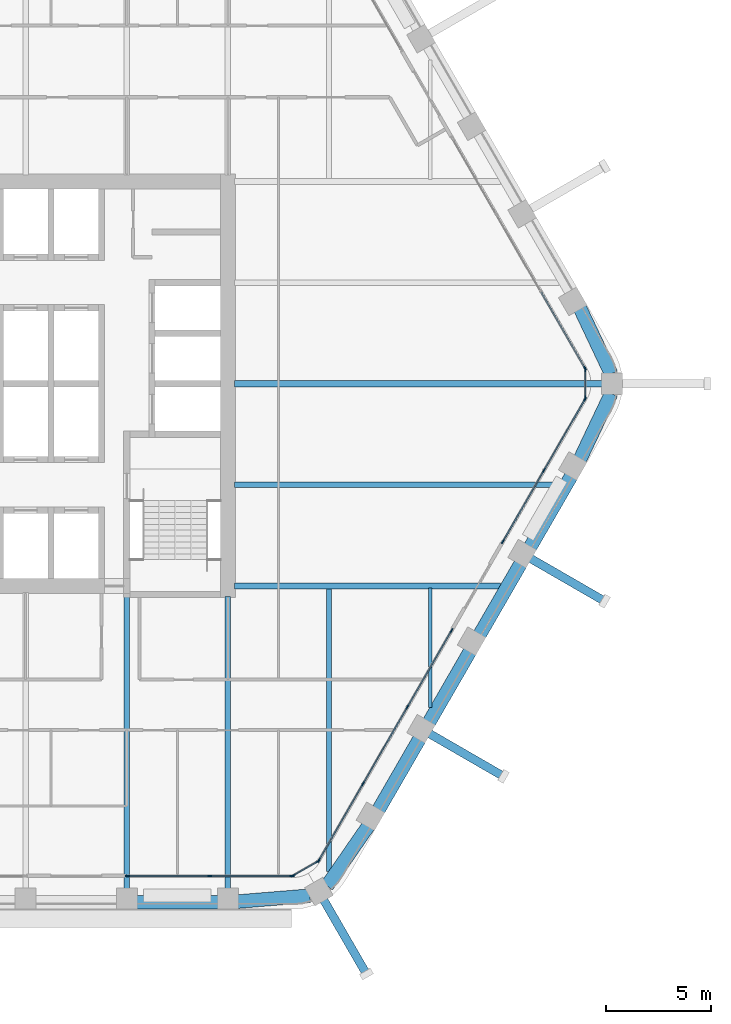
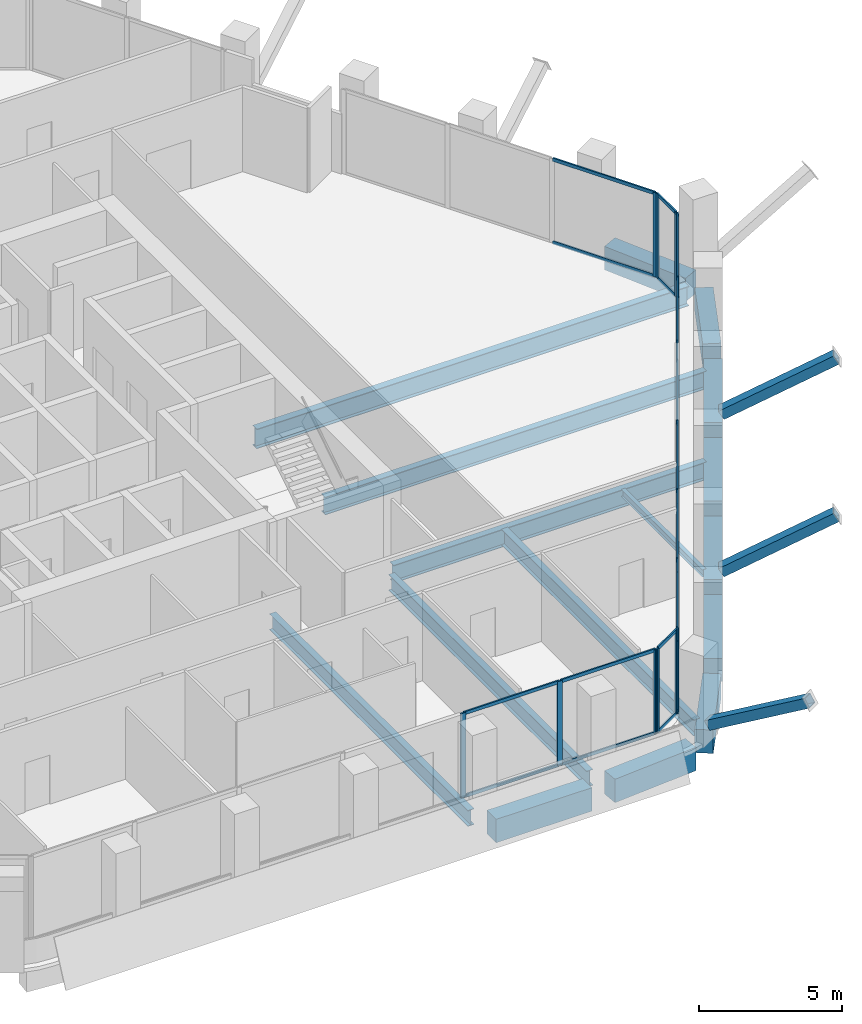
# One storey, part 4 of 16: 38 members, 16 beams, 6 elements without a shape of their own.
"""IFC4 building model written with IfcOpenShell, lengths in metres."""

from ifc_helpers import new_model, si_unit, direction, frame, origin, origin_2d, place, context, subcontext, project, spatial, rectangle, hollow_rectangle, i_section, extrude, material, material_profile, profile_set, type_object, element, aggregate, save


model = new_model("IFC4")

# Units and contexts
model_context = context("Model", 3, precision=1e-05, world=origin(), true_north=direction((0.0, 1.0)))
body_context = subcontext(model_context, "Body", "Model", "MODEL_VIEW")
ifc_project = project(units=[si_unit("LENGTHUNIT", "METRE"), si_unit("AREAUNIT", "SQUARE_METRE"), si_unit("VOLUMEUNIT", "CUBIC_METRE"), si_unit("PLANEANGLEUNIT", "RADIAN"), si_unit("MASSUNIT", "GRAM", prefix="KILO")], contexts=[model_context])

# Site, building, storey
site_placement = place(None, origin())
site = spatial("IfcSite", under=ifc_project, at=site_placement, CompositionType="ELEMENT")
building_placement = place(site_placement, origin())
building = spatial("IfcBuilding", under=site, at=building_placement, Name="Kolab Exchange Tower", CompositionType="ELEMENT")
storey_placement = place(building_placement, frame((0.0, 0.0, 177.800048828125)))
storey = spatial("IfcBuildingStorey", under=building, at=storey_placement, Name="L37", CompositionType="ELEMENT", Elevation=177.800048828125)

# Beams
ifc_material_1 = material(Name="Steel S355", Category="steel")
ifc_material_profile_1 = material_profile(ifc_material_1, i_section(OverallWidth=0.1650390625, OverallDepth=0.31005859375, WebThickness=0.005859375, FlangeThickness=0.009765625, at=origin_2d()), Name="W310X39")
ifc_profile_set_1 = profile_set([ifc_material_profile_1], Name="Steel S355")
beam_type_1 = type_object("IfcBeamType", Name="FLOOR BEAM W310X39", PredefinedType="BEAM", material=ifc_profile_set_1)
beam_1_placement = place(storey_placement, frame((19.199951171875, -15.36767578125, -0.304931640625), z_axis=(0.0, 1.0, 0.0), x_axis=(-1.0, 0.0, 0.0)))
element("IfcBeam", 1, at=beam_1_placement, inside=storey, type_object=beam_type_1, Name="beam/L37/fr/022", PredefinedType="BEAM", context=body_context, shape_type="SweptSolid", body=[
    extrude(i_section(OverallWidth=0.1650390625, OverallDepth=0.31005859375, WebThickness=0.005859375, FlangeThickness=0.009765625, at=origin_2d()), origin(), (0.0, 0.0, 1.0), 5.674072265625),
])
ifc_material_profile_2 = material_profile(ifc_material_1, i_section(OverallWidth=0.25390625, OverallDepth=0.68408203125, WebThickness=0.012451171875, FlangeThickness=0.018798828125, at=origin_2d()), Name="W690X140")
ifc_profile_set_2 = profile_set([ifc_material_profile_2], Name="Steel S355")
beam_type_2 = type_object("IfcBeamType", Name="FLOOR BEAM W690X140", PredefinedType="BEAM", material=ifc_profile_set_2)
for number, where, z_axis, x_axis, name in (
    (2, (4.800048828125, -23.9814453125, -0.491943359375), (0.0, 1.0, 0.0), (-1.0, 0.0, 0.0), "beam/L37/fr/013"),
    (3, (9.60009765625, -23.9814453125, -0.491943359375), (0.0, 1.0, 0.0), (-1.0, 0.0, 0.0), "beam/L37/fr/015"),
):
    element("IfcBeam", number, at=place(storey_placement, frame(where, z_axis=z_axis, x_axis=x_axis)), inside=storey, type_object=beam_type_2, Name=name, PredefinedType="BEAM", context=body_context, shape_type="SweptSolid", body=[
        extrude(i_section(OverallWidth=0.25390625, OverallDepth=0.68408203125, WebThickness=0.012451171875, FlangeThickness=0.018798828125, at=origin_2d()), origin(), (0.0, 0.0, 1.0), 13.871337890625),
    ])
beam_2_placement = place(storey_placement, frame((14.39990234375, -23.15576171875, -0.491943359375), z_axis=(0.0, 1.0, 0.0), x_axis=(-1.0, 0.0, 0.0)))
element("IfcBeam", 4, at=beam_2_placement, inside=storey, type_object=beam_type_2, Name="beam/L37/fr/020", PredefinedType="BEAM", context=body_context, shape_type="SweptSolid", body=[
    extrude(i_section(OverallWidth=0.25390625, OverallDepth=0.68408203125, WebThickness=0.012451171875, FlangeThickness=0.018798828125, at=origin_2d()), origin(), (0.0, 0.0, 1.0), 13.462158203125),
])
ifc_material_profile_3 = material_profile(ifc_material_1, i_section(OverallWidth=0.26708984375, OverallDepth=0.761962890625, WebThickness=0.014404296875, FlangeThickness=0.021484375, at=origin_2d()), Name="W760X173")
ifc_profile_set_3 = profile_set([ifc_material_profile_3], Name="Steel S355")
beam_type_3 = type_object("IfcBeamType", Name="FLOOR BEAM W760X173", PredefinedType="BEAM", material=ifc_profile_set_3)
beam_3_placement = place(storey_placement, frame((9.909912109375, -4.800048828125, -0.531005859375), z_axis=(1.0, 0.0, 0.0), x_axis=(0.0, 1.0, 0.0)))
element("IfcBeam", 5, at=beam_3_placement, inside=storey, type_object=beam_type_3, Name="beam/L37/fr/017", PredefinedType="BEAM", context=body_context, shape_type="SweptSolid", body=[
    extrude(i_section(OverallWidth=0.26708984375, OverallDepth=0.761962890625, WebThickness=0.014404296875, FlangeThickness=0.021484375, at=origin_2d()), origin(), (0.0, 0.0, 1.0), 15.408203125),
])
ifc_material_profile_4 = material_profile(ifc_material_1, i_section(OverallWidth=0.2919921875, OverallDepth=0.840087890625, WebThickness=0.0146484375, FlangeThickness=0.021728515625, at=origin_2d()), Name="W840X193")
ifc_profile_set_4 = profile_set([ifc_material_profile_4], Name="Steel S355")
beam_type_4 = type_object("IfcBeamType", Name="FLOOR BEAM W840X193", PredefinedType="BEAM", material=ifc_profile_set_4)
beam_4_placement = place(storey_placement, frame((9.909912109375, 0.0, -0.570068359375), z_axis=(1.0, 0.0, 0.0), x_axis=(0.0, 1.0, 0.0)))
element("IfcBeam", 6, at=beam_4_placement, inside=storey, type_object=beam_type_4, Name="beam/L37/fr/018", PredefinedType="BEAM", context=body_context, shape_type="SweptSolid", body=[
    extrude(i_section(OverallWidth=0.2919921875, OverallDepth=0.840087890625, WebThickness=0.0146484375, FlangeThickness=0.021728515625, at=origin_2d()), origin(), (0.0, 0.0, 1.0), 17.466064453125),
])
ifc_material_profile_5 = material_profile(ifc_material_1, i_section(OverallWidth=0.26708984375, OverallDepth=0.761962890625, WebThickness=0.014404296875, FlangeThickness=0.021484375, at=origin_2d()), Name="W760X173")
ifc_profile_set_5 = profile_set([ifc_material_profile_5], Name="Steel S355")
beam_type_5 = type_object("IfcBeamType", Name="FLOOR GIRDER W760X173", PredefinedType="BEAM", material=ifc_profile_set_5)
beam_5_placement = place(storey_placement, frame((9.909912109375, -9.60009765625, -0.531005859375), z_axis=(1.0, 0.0, 0.0), x_axis=(0.0, 1.0, 0.0)))
element("IfcBeam", 7, at=beam_5_placement, inside=storey, type_object=beam_type_5, Name="beam/L37/gd/002", PredefinedType="BEAM", context=body_context, shape_type="SweptSolid", body=[
    extrude(i_section(OverallWidth=0.26708984375, OverallDepth=0.761962890625, WebThickness=0.014404296875, FlangeThickness=0.021484375, at=origin_2d()), origin(), (0.0, 0.0, 1.0), 12.636962890625),
])

# Members
ifc_material_profile_6 = material_profile(ifc_material_1, hollow_rectangle(XDim=0.39990234375, YDim=0.39990234375, WallThickness=0.02001953125, at=origin_2d()), Name="HSS400X400X20")
ifc_profile_set_6 = profile_set([ifc_material_profile_6], Name="Steel S355")
member_type_1 = type_object("IfcMemberType", Name="LEDGE STRUT HSS400X400X20", PredefinedType="STRUT", material=ifc_profile_set_6)
for number, where, z_axis, x_axis, name in (
    (8, (23.96533203125, -8.293701171875, 0.599853515625), (0.74712949304, -0.431355064226, 0.505697863547), (0.499999695987, 0.866025579307, 0.0), "mem/L37/ledge/strut-4"),
    (9, (19.165283203125, -16.607666015625, 0.599853515625), (0.74712949304, -0.431355064226, 0.505697863547), (0.499999695987, 0.866025579307, 0.0), "mem/L37/ledge/strut-5"),
    (10, (14.14794921875, -24.5048828125, 0.599853515625), (0.431355064226, -0.74712949304, 0.505697863547), (0.866025579307, 0.499999695987, 0.0), "mem/L37/ledge/strut-6"),
):
    element("IfcMember", number, at=place(storey_placement, frame(where, z_axis=z_axis, x_axis=x_axis)), inside=storey, type_object=member_type_1, Name=name, PredefinedType="STRUT", context=body_context, shape_type="SweptSolid", body=[
        extrude(hollow_rectangle(XDim=0.39990234375, YDim=0.39990234375, WallThickness=0.02001953125, at=origin_2d()), origin(), (0.0, 0.0, 1.0), 4.682861328125),
    ])

# Beams
ifc_material_2 = material(Name="Concrete C60/75", Category="concrete")
ifc_material_profile_7 = material_profile(ifc_material_2, rectangle(XDim=0.64990234375, YDim=1.0, at=origin_2d()), Name="RC650X1000")
ifc_profile_set_7 = profile_set([ifc_material_profile_7], Name="Concrete C60/75")
beam_type_6 = type_object("IfcBeamType", Name="SPANDREL BEAM 650X1000 C60/75", PredefinedType="BEAM", material=ifc_profile_set_7)
for number, where, z_axis, x_axis, name in (
    (11, (26.316162109375, 3.5771484375, -0.650146484375), (0.428177731975, -0.903694544545, 0.0), (0.903694544545, 0.428177731975, 0.0), "beam/L37/sp/F2-06"),
    (12, (27.791259765625, -0.4638671875, -0.650146484375), (-0.428177731975, -0.903694544545, 0.0), (0.903694544545, -0.428177731975, 0.0), "beam/L37/sp/F3-01"),
):
    element("IfcBeam", number, at=place(storey_placement, frame(where, z_axis=z_axis, x_axis=x_axis)), inside=storey, type_object=beam_type_6, Name=name, PredefinedType="BEAM", context=body_context, shape_type="SweptSolid", body=[
        extrude(rectangle(XDim=0.64990234375, YDim=1.0, at=origin_2d()), origin(), (0.0, 0.0, 1.0), 3.445068359375),
    ])
for number, where, z_axis, x_axis, name in (
    (13, (25.888427734375, -4.392822265625, -0.650146484375), (-0.499996613652, -0.866027358884, 0.0), (0.866027358884, -0.499996613652, 0.0), "beam/L37/sp/F3-02"),
    (14, (23.488525390625, -8.5498046875, -0.650146484375), (-0.499996613652, -0.866027358884, 0.0), (0.866027358884, -0.499996613652, 0.0), "beam/L37/sp/F3-03"),
):
    element("IfcBeam", number, at=place(storey_placement, frame(where, z_axis=z_axis, x_axis=x_axis)), inside=storey, type_object=beam_type_6, Name=name, PredefinedType="BEAM", context=body_context, shape_type="SweptSolid", body=[
        extrude(rectangle(XDim=0.64990234375, YDim=1.0, at=origin_2d()), origin(), (0.0, 0.0, 1.0), 3.8798828125),
    ])
beam_6_placement = place(storey_placement, frame((21.088623046875, -12.70654296875, -0.650146484375), z_axis=(-0.50001655835, -0.866015843605, 0.0), x_axis=(0.866015843605, -0.50001655835, 0.0)))
element("IfcBeam", 15, at=beam_6_placement, inside=storey, type_object=beam_type_6, Name="beam/L37/sp/F3-04", PredefinedType="BEAM", context=body_context, shape_type="SweptSolid", body=[
    extrude(rectangle(XDim=0.64990234375, YDim=1.0, at=origin_2d()), origin(), (0.0, 0.0, 1.0), 3.880126953125),
])
beam_7_placement = place(storey_placement, frame((18.6884765625, -16.863525390625, -0.650146484375), z_axis=(-0.499996613652, -0.866027358884, 0.0), x_axis=(0.866027358884, -0.499996613652, 0.0)))
element("IfcBeam", 16, at=beam_7_placement, inside=storey, type_object=beam_type_6, Name="beam/L37/sp/F3-05", PredefinedType="BEAM", context=body_context, shape_type="SweptSolid", body=[
    extrude(rectangle(XDim=0.64990234375, YDim=1.0, at=origin_2d()), origin(), (0.0, 0.0, 1.0), 3.8798828125),
])
for number, where, z_axis, x_axis, name in (
    (17, (16.256103515625, -21.001953125, -0.650146484375), (-0.568572281073, -0.822633309073, 0.0), (0.822633309073, -0.568572281073, 0.0), "beam/L37/sp/F3-06"),
    (18, (13.493896484375, -24.2998046875, -0.650146484375), (-0.996708497182, -0.081068931445, 0.0), (0.081068931445, -0.996708497182, 0.0), "beam/L37/sp/F4-01"),
):
    element("IfcBeam", number, at=place(storey_placement, frame(where, z_axis=z_axis, x_axis=x_axis)), inside=storey, type_object=beam_type_6, Name=name, PredefinedType="BEAM", context=body_context, shape_type="SweptSolid", body=[
        extrude(rectangle(XDim=0.64990234375, YDim=1.0, at=origin_2d()), origin(), (0.0, 0.0, 1.0), 3.445068359375),
    ])
beam_8_placement = place(storey_placement, frame((9.139892578125, -24.616455078125, -0.650146484375), z_axis=(-1.0, 0.0, 0.0), x_axis=(0.0, -1.0, 0.0)))
element("IfcBeam", 19, at=beam_8_placement, inside=storey, type_object=beam_type_6, Name="beam/L37/sp/F4-02", PredefinedType="BEAM", context=body_context, shape_type="SweptSolid", body=[
    extrude(rectangle(XDim=0.64990234375, YDim=1.0, at=origin_2d()), origin(), (0.0, 0.0, 1.0), 3.8798828125),
])

# Curtain wall, member
ifc_material_3 = material(Name="Aluminium EN AW-6063 T6", Category="aluminium")
curtain_wall_type = type_object("IfcCurtainWallType", Name="UNITISED UPPER MID ZONE CURTAIN WALL", PredefinedType="NOTDEFINED", material=ifc_material_3)
curtain_wall_1_placement = place(storey_placement, origin())
curtain_wall_1 = element("IfcCurtainWall", 20, at=curtain_wall_1_placement, inside=storey, type_object=curtain_wall_type, Name="cw/L37/F2-2", PredefinedType="NOTDEFINED")
ifc_material_profile_8 = material_profile(ifc_material_3, rectangle(XDim=0.06005859375, YDim=0.199951171875, at=origin_2d()), Name="RECT 60X200")
ifc_profile_set_8 = profile_set([ifc_material_profile_8], Name="Aluminium EN AW-6063 T6")
member_type_2 = type_object("IfcMemberType", Name="UNITISED UPPER MID ZONE MULLION 60 X 200", PredefinedType="MULLION", material=ifc_profile_set_8)
member_1_placement = place(storey_placement, frame((26.550537109375, 0.736083984375, 0.0), z_axis=(0.0, 0.0, 1.0), x_axis=(0.866025427826, 0.499999958358, 0.0)))
member_1 = element("IfcMember", 21, at=member_1_placement, type_object=member_type_2, Name="CW3 mullion 4", PredefinedType="MULLION", context=body_context, shape_type="SweptSolid", body=[
    extrude(rectangle(XDim=0.06005859375, YDim=0.199951171875, at=origin_2d()), origin(), (0.0, 0.0, 1.0), 3.599853515625),
])

# Curtain wall, members
curtain_wall_2_placement = place(storey_placement, origin())
curtain_wall_2 = element("IfcCurtainWall", 22, at=curtain_wall_2_placement, inside=storey, type_object=curtain_wall_type, Name="cw/L37/F3-1", PredefinedType="NOTDEFINED")
member_2_placement = place(storey_placement, frame((26.550537109375, -0.736083984375, 0.0), z_axis=(0.0, 0.0, 1.0), x_axis=(0.866025440524, -0.499999936366, 0.0)))
member_2 = element("IfcMember", 23, at=member_2_placement, type_object=member_type_2, Name="CW3 mullion 1", PredefinedType="MULLION", context=body_context, shape_type="SweptSolid", body=[
    extrude(rectangle(XDim=0.06005859375, YDim=0.199951171875, at=origin_2d()), origin(), (0.0, 0.0, 1.0), 3.599853515625),
])
member_3_placement = place(storey_placement, frame((24.5986328125, -4.116943359375, 0.0), z_axis=(0.0, 0.0, 1.0), x_axis=(0.866025440524, -0.499999936366, 0.0)))
member_3 = element("IfcMember", 24, at=member_3_placement, type_object=member_type_2, Name="CW3 mullion 2", PredefinedType="MULLION", context=body_context, shape_type="SweptSolid", body=[
    extrude(rectangle(XDim=0.06005859375, YDim=0.199951171875, at=origin_2d()), origin(), (0.0, 0.0, 1.0), 3.599853515625),
])
member_4_placement = place(storey_placement, frame((22.646728515625, -7.497802734375, 0.0), z_axis=(0.0, 0.0, 1.0), x_axis=(0.866025440524, -0.499999936366, 0.0)))
member_4 = element("IfcMember", 25, at=member_4_placement, type_object=member_type_2, Name="CW3 mullion 3", PredefinedType="MULLION", context=body_context, shape_type="SweptSolid", body=[
    extrude(rectangle(XDim=0.06005859375, YDim=0.199951171875, at=origin_2d()), origin(), (0.0, 0.0, 1.0), 3.599853515625),
])

curtain_wall_3_placement = place(storey_placement, origin())
curtain_wall_3 = element("IfcCurtainWall", 26, at=curtain_wall_3_placement, inside=storey, type_object=curtain_wall_type, Name="cw/L37/F3-2", PredefinedType="NOTDEFINED")
member_5_placement = place(storey_placement, frame((20.216796875, -11.706787109375, 0.0), z_axis=(0.0, 0.0, 1.0), x_axis=(0.866025393644, -0.500000017564, 0.0)))
member_5 = element("IfcMember", 27, at=member_5_placement, type_object=member_type_2, Name="CW3 mullion 1", PredefinedType="MULLION", context=body_context, shape_type="SweptSolid", body=[
    extrude(rectangle(XDim=0.06005859375, YDim=0.199951171875, at=origin_2d()), origin(), (0.0, 0.0, 1.0), 3.599853515625),
])
member_6_placement = place(storey_placement, frame((18.120361328125, -15.337646484375, 0.0), z_axis=(0.0, 0.0, 1.0), x_axis=(0.866025393644, -0.500000017564, 0.0)))
member_6 = element("IfcMember", 28, at=member_6_placement, type_object=member_type_2, Name="CW3 mullion 2", PredefinedType="MULLION", context=body_context, shape_type="SweptSolid", body=[
    extrude(rectangle(XDim=0.06005859375, YDim=0.199951171875, at=origin_2d()), origin(), (0.0, 0.0, 1.0), 3.599853515625),
])
member_7_placement = place(storey_placement, frame((16.009033203125, -18.99462890625, 0.0), z_axis=(0.0, 0.0, 1.0), x_axis=(0.866025393644, -0.500000017564, 0.0)))
member_7 = element("IfcMember", 29, at=member_7_placement, type_object=member_type_2, Name="CW3 mullion 3", PredefinedType="MULLION", context=body_context, shape_type="SweptSolid", body=[
    extrude(rectangle(XDim=0.06005859375, YDim=0.199951171875, at=origin_2d()), origin(), (0.0, 0.0, 1.0), 3.599853515625),
])
member_8_placement = place(storey_placement, frame((13.91259765625, -22.62548828125, 0.0), z_axis=(0.0, 0.0, 1.0), x_axis=(0.866025393644, -0.500000017564, 0.0)))
member_8 = element("IfcMember", 30, at=member_8_placement, type_object=member_type_2, Name="CW3 mullion 4", PredefinedType="MULLION", context=body_context, shape_type="SweptSolid", body=[
    extrude(rectangle(XDim=0.06005859375, YDim=0.199951171875, at=origin_2d()), origin(), (0.0, 0.0, 1.0), 3.599853515625),
])

curtain_wall_4_placement = place(storey_placement, origin())
curtain_wall_4 = element("IfcCurtainWall", 31, at=curtain_wall_4_placement, inside=storey, type_object=curtain_wall_type, Name="cw/L37/F4-1", PredefinedType="NOTDEFINED")
member_9_placement = place(storey_placement, frame((12.637939453125, -23.361572265625, 0.0), z_axis=(0.0, 0.0, 1.0), x_axis=(0.0, -1.0, 0.0)))
member_9 = element("IfcMember", 32, at=member_9_placement, type_object=member_type_2, Name="CW3 mullion 1", PredefinedType="MULLION", context=body_context, shape_type="SweptSolid", body=[
    extrude(rectangle(XDim=0.06005859375, YDim=0.199951171875, at=origin_2d()), origin(), (0.0, 0.0, 1.0), 3.599853515625),
])
member_10_placement = place(storey_placement, frame((8.73388671875, -23.361572265625, 0.0), z_axis=(0.0, 0.0, 1.0), x_axis=(0.0, -1.0, 0.0)))
member_10 = element("IfcMember", 33, at=member_10_placement, type_object=member_type_2, Name="CW3 mullion 2", PredefinedType="MULLION", context=body_context, shape_type="SweptSolid", body=[
    extrude(rectangle(XDim=0.06005859375, YDim=0.199951171875, at=origin_2d()), origin(), (0.0, 0.0, 1.0), 3.599853515625),
])
member_11_placement = place(storey_placement, frame((4.830078125, -23.361572265625, 0.0), z_axis=(0.0, 0.0, 1.0), x_axis=(0.0, -1.0, 0.0)))
member_11 = element("IfcMember", 34, at=member_11_placement, type_object=member_type_2, Name="CW3 mullion 3", PredefinedType="MULLION", context=body_context, shape_type="SweptSolid", body=[
    extrude(rectangle(XDim=0.06005859375, YDim=0.199951171875, at=origin_2d()), origin(), (0.0, 0.0, 1.0), 3.599853515625),
])

curtain_wall_5_placement = place(storey_placement, origin())
curtain_wall_5 = element("IfcCurtainWall", 35, at=curtain_wall_5_placement, inside=storey, type_object=curtain_wall_type, Name="cw/L37/F2F3-corner", PredefinedType="NOTDEFINED")
member_12_placement = place(storey_placement, frame((26.565673828125, 0.679931640625, 0.0), z_axis=(0.0, 0.0, 1.0), x_axis=(1.0, 0.0, 0.0)))
member_12 = element("IfcMember", 36, at=member_12_placement, type_object=member_type_2, Name="CW3 mullion 1", PredefinedType="MULLION", context=body_context, shape_type="SweptSolid", body=[
    extrude(rectangle(XDim=0.06005859375, YDim=0.199951171875, at=origin_2d()), origin(), (0.0, 0.0, 1.0), 3.599853515625),
])
member_13_placement = place(storey_placement, frame((26.565673828125, -0.679931640625, 0.0), z_axis=(0.0, 0.0, 1.0), x_axis=(1.0, 0.0, 0.0)))
member_13 = element("IfcMember", 37, at=member_13_placement, type_object=member_type_2, Name="CW3 mullion 2", PredefinedType="MULLION", context=body_context, shape_type="SweptSolid", body=[
    extrude(rectangle(XDim=0.06005859375, YDim=0.199951171875, at=origin_2d()), origin(), (0.0, 0.0, 1.0), 3.599853515625),
])

curtain_wall_6_placement = place(storey_placement, origin())
curtain_wall_6 = element("IfcCurtainWall", 38, at=curtain_wall_6_placement, inside=storey, type_object=curtain_wall_type, Name="cw/L37/F3F4-corner", PredefinedType="NOTDEFINED")
member_14_placement = place(storey_placement, frame((13.871826171875, -22.66650390625, 0.0), z_axis=(0.0, 0.0, 1.0), x_axis=(0.50000002237, -0.866025390869, 0.0)))
member_14 = element("IfcMember", 39, at=member_14_placement, type_object=member_type_2, Name="CW3 mullion 1", PredefinedType="MULLION", context=body_context, shape_type="SweptSolid", body=[
    extrude(rectangle(XDim=0.06005859375, YDim=0.199951171875, at=origin_2d()), origin(), (0.0, 0.0, 1.0), 3.599853515625),
])
member_15_placement = place(storey_placement, frame((12.69384765625, -23.346435546875, 0.0), z_axis=(0.0, 0.0, 1.0), x_axis=(0.50000002237, -0.866025390869, 0.0)))
member_15 = element("IfcMember", 40, at=member_15_placement, type_object=member_type_2, Name="CW3 mullion 2", PredefinedType="MULLION", context=body_context, shape_type="SweptSolid", body=[
    extrude(rectangle(XDim=0.06005859375, YDim=0.199951171875, at=origin_2d()), origin(), (0.0, 0.0, 1.0), 3.599853515625),
])

# Member
ifc_material_profile_9 = material_profile(ifc_material_3, rectangle(XDim=0.06005859375, YDim=0.139892578125, at=origin_2d()), Name="RECT 60X140")
ifc_profile_set_9 = profile_set([ifc_material_profile_9], Name="Aluminium EN AW-6063 T6")
member_type_3 = type_object("IfcMemberType", Name="UNITISED UPPER MID ZONE TRANSOM 60 X 140", PredefinedType="USERDEFINED", material=ifc_profile_set_9)
member_16_placement = place(storey_placement, frame((24.46923828125, 4.3408203125, 0.030029296875), z_axis=(0.500027577057, -0.866009481578, 0.0), x_axis=(0.866009481578, 0.500027577057, 0.0)))
member_16 = element("IfcMember", 41, at=member_16_placement, type_object=member_type_3, Name="CW3 transom 3.1", ObjectType="TRANSOM", PredefinedType="USERDEFINED", context=body_context, shape_type="SweptSolid", body=[
    extrude(rectangle(XDim=0.06005859375, YDim=0.139892578125, at=origin_2d()), origin(), (0.0, 0.0, 1.0), 4.132568359375),
])

member_17_placement = place(storey_placement, frame((24.46923828125, 4.3408203125, 3.570068359375), z_axis=(0.500027577057, -0.866009481578, 0.0), x_axis=(0.866009481578, 0.500027577057, 0.0)))
member_17 = element("IfcMember", 42, at=member_17_placement, type_object=member_type_3, Name="CW3 transom 3.2", ObjectType="TRANSOM", PredefinedType="USERDEFINED", context=body_context, shape_type="SweptSolid", body=[
    extrude(rectangle(XDim=0.06005859375, YDim=0.139892578125, at=origin_2d()), origin(), (0.0, 0.0, 1.0), 4.132568359375),
])

aggregate(curtain_wall_1, [member_1, member_16, member_17])

member_18_placement = place(storey_placement, frame((26.53564453125, -0.761962890625, 0.030029296875), z_axis=(-0.499991857942, -0.866030104553, 0.0), x_axis=(0.866030104553, -0.499991857942, 0.0)))
member_18 = element("IfcMember", 43, at=member_18_placement, type_object=member_type_3, Name="CW3 transom 1.1", ObjectType="TRANSOM", PredefinedType="USERDEFINED", context=body_context, shape_type="SweptSolid", body=[
    extrude(rectangle(XDim=0.06005859375, YDim=0.139892578125, at=origin_2d()), origin(), (0.0, 0.0, 1.0), 3.84375),
])

member_19_placement = place(storey_placement, frame((26.53564453125, -0.761962890625, 3.570068359375), z_axis=(-0.499991857942, -0.866030104553, 0.0), x_axis=(0.866030104553, -0.499991857942, 0.0)))
member_19 = element("IfcMember", 44, at=member_19_placement, type_object=member_type_3, Name="CW3 transom 1.2", ObjectType="TRANSOM", PredefinedType="USERDEFINED", context=body_context, shape_type="SweptSolid", body=[
    extrude(rectangle(XDim=0.06005859375, YDim=0.139892578125, at=origin_2d()), origin(), (0.0, 0.0, 1.0), 3.84375),
])

member_20_placement = place(storey_placement, frame((24.583740234375, -4.142822265625, 0.030029296875), z_axis=(-0.500011990396, -0.866018481016, 0.0), x_axis=(0.866018481016, -0.500011990396, 0.0)))
member_20 = element("IfcMember", 45, at=member_20_placement, type_object=member_type_3, Name="CW3 transom 2.1", ObjectType="TRANSOM", PredefinedType="USERDEFINED", context=body_context, shape_type="SweptSolid", body=[
    extrude(rectangle(XDim=0.06005859375, YDim=0.139892578125, at=origin_2d()), origin(), (0.0, 0.0, 1.0), 3.84423828125),
])

member_21_placement = place(storey_placement, frame((24.583740234375, -4.142822265625, 3.570068359375), z_axis=(-0.500011990396, -0.866018481016, 0.0), x_axis=(0.866018481016, -0.500011990396, 0.0)))
member_21 = element("IfcMember", 46, at=member_21_placement, type_object=member_type_3, Name="CW3 transom 2.2", ObjectType="TRANSOM", PredefinedType="USERDEFINED", context=body_context, shape_type="SweptSolid", body=[
    extrude(rectangle(XDim=0.06005859375, YDim=0.139892578125, at=origin_2d()), origin(), (0.0, 0.0, 1.0), 3.84423828125),
])

aggregate(curtain_wall_2, [member_2, member_3, member_4, member_18, member_19, member_20, member_21])

member_22_placement = place(storey_placement, frame((20.20166015625, -11.732666015625, 0.030029296875), z_axis=(-0.500001996123, -0.866024251319, 0.0), x_axis=(0.866024251319, -0.500001996123, 0.0)))
member_22 = element("IfcMember", 47, at=member_22_placement, type_object=member_type_3, Name="CW3 transom 1.1", ObjectType="TRANSOM", PredefinedType="USERDEFINED", context=body_context, shape_type="SweptSolid", body=[
    extrude(rectangle(XDim=0.06005859375, YDim=0.139892578125, at=origin_2d()), origin(), (0.0, 0.0, 1.0), 4.1328125),
])

member_23_placement = place(storey_placement, frame((20.20166015625, -11.732666015625, 3.570068359375), z_axis=(-0.500001996123, -0.866024251319, 0.0), x_axis=(0.866024251319, -0.500001996123, 0.0)))
member_23 = element("IfcMember", 48, at=member_23_placement, type_object=member_type_3, Name="CW3 transom 1.2", ObjectType="TRANSOM", PredefinedType="USERDEFINED", context=body_context, shape_type="SweptSolid", body=[
    extrude(rectangle(XDim=0.06005859375, YDim=0.139892578125, at=origin_2d()), origin(), (0.0, 0.0, 1.0), 4.1328125),
])

member_24_placement = place(storey_placement, frame((18.10546875, -15.36376953125, 0.030029296875), z_axis=(-0.500037208726, -0.86600392025, 0.0), x_axis=(0.86600392025, -0.500037208726, 0.0)))
member_24 = element("IfcMember", 49, at=member_24_placement, type_object=member_type_3, Name="CW3 transom 2.1", ObjectType="TRANSOM", PredefinedType="USERDEFINED", context=body_context, shape_type="SweptSolid", body=[
    extrude(rectangle(XDim=0.06005859375, YDim=0.139892578125, at=origin_2d()), origin(), (0.0, 0.0, 1.0), 4.162841796875),
])

member_25_placement = place(storey_placement, frame((18.10546875, -15.36376953125, 3.570068359375), z_axis=(-0.500037208726, -0.86600392025, 0.0), x_axis=(0.86600392025, -0.500037208726, 0.0)))
member_25 = element("IfcMember", 50, at=member_25_placement, type_object=member_type_3, Name="CW3 transom 2.2", ObjectType="TRANSOM", PredefinedType="USERDEFINED", context=body_context, shape_type="SweptSolid", body=[
    extrude(rectangle(XDim=0.06005859375, YDim=0.139892578125, at=origin_2d()), origin(), (0.0, 0.0, 1.0), 4.162841796875),
])

member_26_placement = place(storey_placement, frame((15.994140625, -19.0205078125, 0.030029296875), z_axis=(-0.500001996123, -0.866024251319, 0.0), x_axis=(0.866024251319, -0.500001996123, 0.0)))
member_26 = element("IfcMember", 51, at=member_26_placement, type_object=member_type_3, Name="CW3 transom 3.1", ObjectType="TRANSOM", PredefinedType="USERDEFINED", context=body_context, shape_type="SweptSolid", body=[
    extrude(rectangle(XDim=0.06005859375, YDim=0.139892578125, at=origin_2d()), origin(), (0.0, 0.0, 1.0), 4.1328125),
])

member_27_placement = place(storey_placement, frame((15.994140625, -19.0205078125, 3.570068359375), z_axis=(-0.500001996123, -0.866024251319, 0.0), x_axis=(0.866024251319, -0.500001996123, 0.0)))
member_27 = element("IfcMember", 52, at=member_27_placement, type_object=member_type_3, Name="CW3 transom 3.2", ObjectType="TRANSOM", PredefinedType="USERDEFINED", context=body_context, shape_type="SweptSolid", body=[
    extrude(rectangle(XDim=0.06005859375, YDim=0.139892578125, at=origin_2d()), origin(), (0.0, 0.0, 1.0), 4.1328125),
])

aggregate(curtain_wall_3, [member_5, member_6, member_7, member_8, member_22, member_23, member_24, member_25, member_26, member_27])

member_28_placement = place(storey_placement, frame((12.60791015625, -23.361572265625, 0.030029296875), z_axis=(-1.0, 0.0, 0.0), x_axis=(0.0, -1.0, 0.0)))
member_28 = element("IfcMember", 53, at=member_28_placement, type_object=member_type_3, Name="CW3 transom 1.1", ObjectType="TRANSOM", PredefinedType="USERDEFINED", context=body_context, shape_type="SweptSolid", body=[
    extrude(rectangle(XDim=0.06005859375, YDim=0.139892578125, at=origin_2d()), origin(), (0.0, 0.0, 1.0), 3.843994140625),
])

member_29_placement = place(storey_placement, frame((12.60791015625, -23.361572265625, 3.570068359375), z_axis=(-1.0, 0.0, 0.0), x_axis=(0.0, -1.0, 0.0)))
member_29 = element("IfcMember", 54, at=member_29_placement, type_object=member_type_3, Name="CW3 transom 1.2", ObjectType="TRANSOM", PredefinedType="USERDEFINED", context=body_context, shape_type="SweptSolid", body=[
    extrude(rectangle(XDim=0.06005859375, YDim=0.139892578125, at=origin_2d()), origin(), (0.0, 0.0, 1.0), 3.843994140625),
])

member_30_placement = place(storey_placement, frame((8.703857421875, -23.361572265625, 0.030029296875), z_axis=(-1.0, 0.0, 0.0), x_axis=(0.0, -1.0, 0.0)))
member_30 = element("IfcMember", 55, at=member_30_placement, type_object=member_type_3, Name="CW3 transom 2.1", ObjectType="TRANSOM", PredefinedType="USERDEFINED", context=body_context, shape_type="SweptSolid", body=[
    extrude(rectangle(XDim=0.06005859375, YDim=0.139892578125, at=origin_2d()), origin(), (0.0, 0.0, 1.0), 3.84375),
])

member_31_placement = place(storey_placement, frame((8.703857421875, -23.361572265625, 3.570068359375), z_axis=(-1.0, 0.0, 0.0), x_axis=(0.0, -1.0, 0.0)))
member_31 = element("IfcMember", 56, at=member_31_placement, type_object=member_type_3, Name="CW3 transom 2.2", ObjectType="TRANSOM", PredefinedType="USERDEFINED", context=body_context, shape_type="SweptSolid", body=[
    extrude(rectangle(XDim=0.06005859375, YDim=0.139892578125, at=origin_2d()), origin(), (0.0, 0.0, 1.0), 3.84375),
])

aggregate(curtain_wall_4, [member_9, member_10, member_11, member_28, member_29, member_30, member_31])

member_32_placement = place(storey_placement, frame((26.565673828125, 0.64990234375, 0.030029296875), z_axis=(0.0, -1.0, 0.0), x_axis=(1.0, 0.0, 0.0)))
member_32 = element("IfcMember", 57, at=member_32_placement, type_object=member_type_3, Name="CW3 transom 1.1", ObjectType="TRANSOM", PredefinedType="USERDEFINED", context=body_context, shape_type="SweptSolid", body=[
    extrude(rectangle(XDim=0.06005859375, YDim=0.139892578125, at=origin_2d()), origin(), (0.0, 0.0, 1.0), 1.2998046875),
])

member_33_placement = place(storey_placement, frame((26.565673828125, 0.64990234375, 3.570068359375), z_axis=(0.0, -1.0, 0.0), x_axis=(1.0, 0.0, 0.0)))
member_33 = element("IfcMember", 58, at=member_33_placement, type_object=member_type_3, Name="CW3 transom 1.2", ObjectType="TRANSOM", PredefinedType="USERDEFINED", context=body_context, shape_type="SweptSolid", body=[
    extrude(rectangle(XDim=0.06005859375, YDim=0.139892578125, at=origin_2d()), origin(), (0.0, 0.0, 1.0), 1.2998046875),
])

aggregate(curtain_wall_5, [member_12, member_13, member_32, member_33])

member_34_placement = place(storey_placement, frame((13.845703125, -22.681640625, 0.030029296875), z_axis=(-0.86603858612, -0.49997716683, 0.0), x_axis=(0.49997716683, -0.86603858612, 0.0)))
member_34 = element("IfcMember", 59, at=member_34_placement, type_object=member_type_3, Name="CW3 transom 1.1", ObjectType="TRANSOM", PredefinedType="USERDEFINED", context=body_context, shape_type="SweptSolid", body=[
    extrude(rectangle(XDim=0.06005859375, YDim=0.139892578125, at=origin_2d()), origin(), (0.0, 0.0, 1.0), 1.2998046875),
])

member_35_placement = place(storey_placement, frame((13.845703125, -22.681640625, 3.570068359375), z_axis=(-0.86603858612, -0.49997716683, 0.0), x_axis=(0.49997716683, -0.86603858612, 0.0)))
member_35 = element("IfcMember", 60, at=member_35_placement, type_object=member_type_3, Name="CW3 transom 1.2", ObjectType="TRANSOM", PredefinedType="USERDEFINED", context=body_context, shape_type="SweptSolid", body=[
    extrude(rectangle(XDim=0.06005859375, YDim=0.139892578125, at=origin_2d()), origin(), (0.0, 0.0, 1.0), 1.2998046875),
])

aggregate(curtain_wall_6, [member_14, member_15, member_34, member_35])

save(model, "model.ifc")
